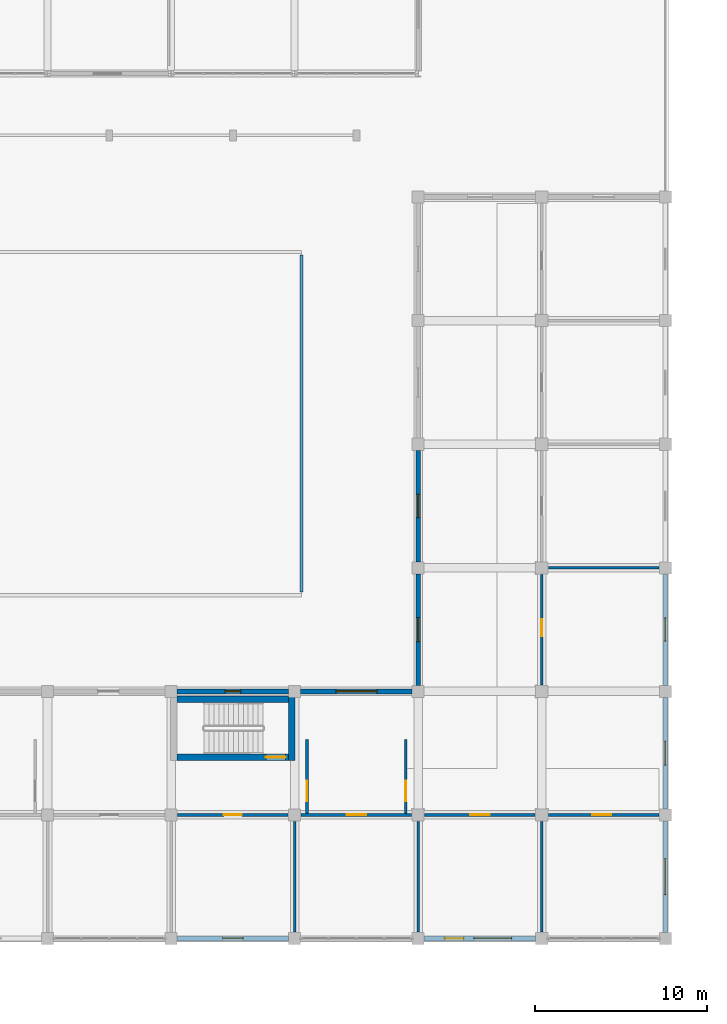
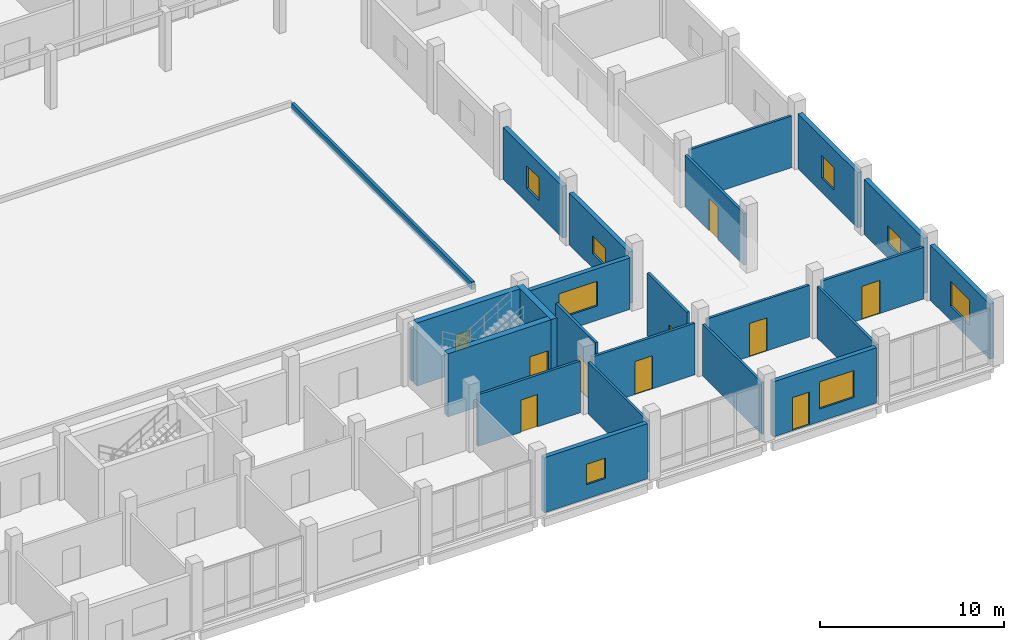
# One storey, part 121 of 139: 24 walls, 9 doors, 9 windows, 18 openings.
"""IFC4 building model written with IfcOpenShell, lengths in metres."""

from ifc_helpers import new_model, si_unit, direction, frame, frame_2d, origin, place, context, subcontext, project, spatial, rectangle, extrude, material, layer, layer_set, type_object, element, fill, save


model = new_model("IFC4")

# Units and contexts
model_context = context("Model", 3, precision=1e-05, world=origin(), true_north=direction((0.0, 1.0)))
body_context = subcontext(model_context, "Body", "Model", "MODEL_VIEW")
ifc_project = project(units=[si_unit("LENGTHUNIT", "METRE"), si_unit("AREAUNIT", "SQUARE_METRE"), si_unit("VOLUMEUNIT", "CUBIC_METRE"), si_unit("PLANEANGLEUNIT", "RADIAN"), si_unit("MASSUNIT", "GRAM", prefix="KILO")], contexts=[model_context])

# Site, building, storey
site_placement = place(None, origin())
site = spatial("IfcSite", under=ifc_project, at=site_placement, CompositionType="ELEMENT")
building_placement = place(site_placement, origin())
building = spatial("IfcBuilding", under=site, at=building_placement, Name="Suanplinth Sawtooth Commons", CompositionType="ELEMENT")
storey_placement = place(building_placement, origin())
storey = spatial("IfcBuildingStorey", under=building, at=storey_placement, Name="L00", CompositionType="ELEMENT", Elevation=0.0)

# Wall, opening, door
ifc_material_1 = material(Name="Concrete C40/50", Category="concrete")
ifc_layer_1 = layer(ifc_material_1, 0.3798828125, Name="Lower high-rise RC core shear wall 380mm")
ifc_layer_set_1 = layer_set([ifc_layer_1], Name="Concrete C40/50")
wall_type_1 = type_object("IfcWallType", Name="W-CR01", PredefinedType="SHEAR", material=ifc_layer_set_1)
wall_1_placement = place(storey_placement, frame((158.75, 10.56005859375, 0.0), z_axis=(0.0, 0.0, 1.0), x_axis=(1.0, 0.0, 0.0)))
wall_1 = element("IfcWall", 1, at=wall_1_placement, inside=storey, type_object=wall_type_1, Name="W-L00-C-C2-STS", PredefinedType="SHEAR", context=body_context, shape_type="SweptSolid", body=[
    extrude(rectangle(XDim=6.5, YDim=0.3798828125, at=frame_2d((3.25, 0.0))), origin(), (0.0, 0.0, 1.0), 4.199951171875),
])
opening_1_placement = place(wall_1_placement, frame((5.169921875, 0.0, 0.0)))
opening_1 = element("IfcOpeningElement", 2, at=opening_1_placement, cuts=wall_1, Name="Opening FD0324", PredefinedType="OPENING", context=body_context, shape_type="SweptSolid", body=[
    extrude(rectangle(XDim=1.14990234375, YDim=2.199951171875, at=frame_2d((0.574951171875, 1.10009765625))), frame((0.0, 0.204833984375, 0.0), z_axis=(0.0, -1.0, 0.0), x_axis=(1.0, 0.0, 0.0)), (0.0, 0.0, 1.0), 0.40966796875),
])
ifc_material_2 = material(Name="Teak hardwood fire-rated door assembly", Category="wood")
door_type_1 = type_object("IfcDoorType", Name="FD-01", OperationType="NOTDEFINED", PredefinedType="DOOR", material=ifc_material_2)
door_1_placement = place(opening_1_placement, frame((1.14990234375, 0.0, 0.0), z_axis=(0.0, 0.0, 1.0), x_axis=(-1.0, 0.0, 0.0)))
door_1 = element("IfcDoor", 3, at=door_1_placement, inside=storey, type_object=door_type_1, Name="Exit Stair Fire Door FD0324", OperationType="SINGLE_SWING_LEFT", OverallHeight=2.199951171875, OverallWidth=1.14990234375, PredefinedType="DOOR", context=body_context, shape_type="SweptSolid", body=[
    extrude(rectangle(XDim=1.14990234375, YDim=2.199951171875, at=frame_2d((0.574951171875, 1.10009765625))), frame((0.0, 0.02490234375, 0.0), z_axis=(0.0, -1.0, 0.0), x_axis=(1.0, 0.0, 0.0)), (0.0, 0.0, 1.0), 0.050048828125),
])
fill(opening_1, door_1)

# Walls
wall_2_placement = place(storey_placement, frame((158.75, 13.93994140625, 0.0), z_axis=(0.0, 0.0, 1.0), x_axis=(1.0, 0.0, 0.0)))
element("IfcWall", 4, at=wall_2_placement, inside=storey, type_object=wall_type_1, Name="W-L00-C-C2-STN", PredefinedType="SHEAR", context=body_context, shape_type="SweptSolid", body=[
    extrude(rectangle(XDim=6.5, YDim=0.3798828125, at=frame_2d((3.25, 0.0))), origin(), (0.0, 0.0, 1.0), 4.199951171875),
])
wall_3_placement = place(storey_placement, frame((165.43994140625, 10.3701171875, 0.0), z_axis=(0.0, 0.0, 1.0), x_axis=(0.0, 1.0, 0.0)))
element("IfcWall", 5, at=wall_3_placement, inside=storey, type_object=wall_type_1, Name="W-L00-C-C2-STE", PredefinedType="SHEAR", context=body_context, shape_type="SweptSolid", body=[
    extrude(rectangle(XDim=3.759765625, YDim=0.3798828125, at=frame_2d((1.8798828125, 0.0))), origin(), (0.0, 0.0, 1.0), 4.199951171875),
])

# Wall, opening, window
ifc_material_3 = material(Name="Precast concrete C40/50", Category="concrete")
ifc_layer_2 = layer(ifc_material_3, 0.280029296875, Name="Insulated precast architectural facade wall 280mm")
ifc_layer_set_2 = layer_set([ifc_layer_2], Name="Precast concrete C40/50")
wall_type_2 = type_object("IfcWallType", Name="W-EX01", PredefinedType="ELEMENTEDWALL", material=ifc_layer_set_2)
wall_4_placement = place(storey_placement, frame((158.75, 0.0, 0.0), z_axis=(0.0, 0.0, 1.0), x_axis=(1.0, 0.0, 0.0)))
wall_4 = element("IfcWall", 6, at=wall_4_placement, inside=storey, type_object=wall_type_2, Name="Facade Wall W-L00-C-S-22-0", PredefinedType="ELEMENTEDWALL", context=body_context, shape_type="SweptSolid", body=[
    extrude(rectangle(XDim=6.5, YDim=0.280029296875, at=frame_2d((3.25, 0.0))), origin(), (0.0, 0.0, 1.0), 3.6650390625),
])
opening_2_placement = place(wall_4_placement, frame((2.64990234375, 0.0, 0.949951171875)))
opening_2 = element("IfcOpeningElement", 7, at=opening_2_placement, cuts=wall_4, Name="Opening W0129", PredefinedType="OPENING", context=body_context, shape_type="SweptSolid", body=[
    extrude(rectangle(XDim=1.199951171875, YDim=1.35009765625, at=frame_2d((0.60009765625, 0.675048828125))), frame((0.0, 0.15478515625, 0.0), z_axis=(0.0, -1.0, 0.0), x_axis=(1.0, 0.0, 0.0)), (0.0, 0.0, 1.0), 0.309814453125),
])
ifc_material_4 = material(Name="Thermally broken aluminium and low-E double glazing", Category="aluminium")
window_type_1 = type_object("IfcWindowType", Name="WN-03", PartitioningType="SINGLE_PANEL", PredefinedType="WINDOW", material=ifc_material_4)
window_1_placement = place(opening_2_placement, origin())
window_1 = element("IfcWindow", 8, at=window_1_placement, inside=storey, type_object=window_type_1, Name="Window L00-C-S-22-0", OverallHeight=1.35009765625, OverallWidth=1.199951171875, PartitioningType="SINGLE_PANEL", PredefinedType="WINDOW", context=body_context, shape_type="SweptSolid", body=[
    extrude(rectangle(XDim=1.199951171875, YDim=1.35009765625, at=frame_2d((0.60009765625, 0.675048828125))), frame((0.0, 0.030029296875, 0.0), z_axis=(0.0, -1.0, 0.0), x_axis=(1.0, 0.0, 0.0)), (0.0, 0.0, 1.0), 0.06005859375),
])
fill(opening_2, window_1)

wall_5_placement = place(storey_placement, frame((158.75, 14.39990234375, 0.0), z_axis=(0.0, 0.0, 1.0), x_axis=(1.0, 0.0, 0.0)))
wall_5 = element("IfcWall", 9, at=wall_5_placement, inside=storey, type_object=wall_type_2, Name="Facade Wall W-L00-C-N-22-1", PredefinedType="ELEMENTEDWALL", context=body_context, shape_type="SweptSolid", body=[
    extrude(rectangle(XDim=6.5, YDim=0.280029296875, at=frame_2d((3.25, 0.0))), origin(), (0.0, 0.0, 1.0), 3.43505859375),
])
opening_3_placement = place(wall_5_placement, frame((2.800048828125, 0.0, 0.949951171875)))
opening_3 = element("IfcOpeningElement", 10, at=opening_3_placement, cuts=wall_5, Name="Opening W0130", PredefinedType="OPENING", context=body_context, shape_type="SweptSolid", body=[
    extrude(rectangle(XDim=0.89990234375, YDim=1.10009765625, at=frame_2d((0.449951171875, 0.550048828125))), frame((0.0, 0.15478515625, 0.0), z_axis=(0.0, -1.0, 0.0), x_axis=(1.0, 0.0, 0.0)), (0.0, 0.0, 1.0), 0.309814453125),
])
window_type_2 = type_object("IfcWindowType", Name="WN-04", PartitioningType="SINGLE_PANEL", PredefinedType="WINDOW", material=ifc_material_4)
window_2_placement = place(opening_3_placement, origin())
window_2 = element("IfcWindow", 11, at=window_2_placement, inside=storey, type_object=window_type_2, Name="Window L00-C-N-22-1", OverallHeight=1.10009765625, OverallWidth=0.89990234375, PartitioningType="SINGLE_PANEL", PredefinedType="WINDOW", context=body_context, shape_type="SweptSolid", body=[
    extrude(rectangle(XDim=0.89990234375, YDim=1.10009765625, at=frame_2d((0.449951171875, 0.550048828125))), frame((0.0, 0.030029296875, 0.0), z_axis=(0.0, -1.0, 0.0), x_axis=(1.0, 0.0, 0.0)), (0.0, 0.0, 1.0), 0.06005859375),
])
fill(opening_3, window_2)

wall_6_placement = place(storey_placement, frame((165.949951171875, 14.39990234375, 0.0), z_axis=(0.0, 0.0, 1.0), x_axis=(1.0, 0.0, 0.0)))
wall_6 = element("IfcWall", 12, at=wall_6_placement, inside=storey, type_object=wall_type_2, Name="Facade Wall W-L00-C-N-23-1", PredefinedType="ELEMENTEDWALL", context=body_context, shape_type="SweptSolid", body=[
    extrude(rectangle(XDim=6.5, YDim=0.280029296875, at=frame_2d((3.25, 0.0))), origin(), (0.0, 0.0, 1.0), 3.43505859375),
])
opening_4_placement = place(wall_6_placement, frame((2.050048828125, 0.0, 0.949951171875)))
opening_4 = element("IfcOpeningElement", 13, at=opening_4_placement, cuts=wall_6, Name="Opening W0131", PredefinedType="OPENING", context=body_context, shape_type="SweptSolid", body=[
    extrude(rectangle(XDim=2.39990234375, YDim=1.64990234375, at=frame_2d((1.199951171875, 0.824951171875))), frame((0.0, 0.15478515625, 0.0), z_axis=(0.0, -1.0, 0.0), x_axis=(1.0, 0.0, 0.0)), (0.0, 0.0, 1.0), 0.309814453125),
])
window_type_3 = type_object("IfcWindowType", Name="WN-05", PartitioningType="TRIPLE_PANEL_VERTICAL", PredefinedType="WINDOW", material=ifc_material_4)
window_3_placement = place(opening_4_placement, origin())
window_3 = element("IfcWindow", 14, at=window_3_placement, inside=storey, type_object=window_type_3, Name="Window L00-C-N-23-1", OverallHeight=1.64990234375, OverallWidth=2.39990234375, PartitioningType="TRIPLE_PANEL_VERTICAL", PredefinedType="WINDOW", context=body_context, shape_type="SweptSolid", body=[
    extrude(rectangle(XDim=2.39990234375, YDim=1.64990234375, at=frame_2d((1.199951171875, 0.824951171875))), frame((0.0, 0.030029296875, 0.0), z_axis=(0.0, -1.0, 0.0), x_axis=(1.0, 0.0, 0.0)), (0.0, 0.0, 1.0), 0.06005859375),
])
fill(opening_4, window_3)

# Wall, openings, door, window
wall_7_placement = place(storey_placement, frame((173.14990234375, 0.0, 0.0), z_axis=(0.0, 0.0, 1.0), x_axis=(1.0, 0.0, 0.0)))
wall_7 = element("IfcWall", 15, at=wall_7_placement, inside=storey, type_object=wall_type_2, Name="Facade Wall W-L00-C-S-24-0", PredefinedType="ELEMENTEDWALL", context=body_context, shape_type="SweptSolid", body=[
    extrude(rectangle(XDim=6.5, YDim=0.280029296875, at=frame_2d((3.25, 0.0))), origin(), (0.0, 0.0, 1.0), 3.6650390625),
])
opening_5_placement = place(wall_7_placement, frame((1.199951171875, 0.0, 0.0)))
opening_5 = element("IfcOpeningElement", 16, at=opening_5_placement, cuts=wall_7, Name="Opening ED0035", PredefinedType="OPENING", context=body_context, shape_type="SweptSolid", body=[
    extrude(rectangle(XDim=1.10009765625, YDim=2.199951171875, at=frame_2d((0.550048828125, 1.10009765625))), frame((0.0, 0.15478515625, 0.0), z_axis=(0.0, -1.0, 0.0), x_axis=(1.0, 0.0, 0.0)), (0.0, 0.0, 1.0), 0.309814453125),
])
opening_6_placement = place(wall_7_placement, frame((2.89990234375, 0.0, 0.85009765625)))
opening_6 = element("IfcOpeningElement", 17, at=opening_6_placement, cuts=wall_7, Name="Opening W0132", PredefinedType="OPENING", context=body_context, shape_type="SweptSolid", body=[
    extrude(rectangle(XDim=2.199951171875, YDim=1.800048828125, at=frame_2d((1.10009765625, 0.89990234375))), frame((0.0, 0.15478515625, 0.0), z_axis=(0.0, -1.0, 0.0), x_axis=(1.0, 0.0, 0.0)), (0.0, 0.0, 1.0), 0.309814453125),
])
ifc_material_5 = material(Name="Anodized aluminium and clear glass", Category="aluminium")
door_type_2 = type_object("IfcDoorType", Name="ED-06", OperationType="NOTDEFINED", PredefinedType="DOOR", material=ifc_material_5)
door_2_placement = place(opening_5_placement, frame((1.10009765625, 0.0, 0.0), z_axis=(0.0, 0.0, 1.0), x_axis=(-1.0, 0.0, 0.0)))
door_2 = element("IfcDoor", 18, at=door_2_placement, inside=storey, type_object=door_type_2, Name="Ground Shop Entrance C-24", OperationType="SINGLE_SWING_LEFT", OverallHeight=2.199951171875, OverallWidth=1.10009765625, PredefinedType="DOOR", context=body_context, shape_type="SweptSolid", body=[
    extrude(rectangle(XDim=1.10009765625, YDim=2.199951171875, at=frame_2d((0.550048828125, 1.10009765625))), frame((0.0, 0.02490234375, 0.0), z_axis=(0.0, -1.0, 0.0), x_axis=(1.0, 0.0, 0.0)), (0.0, 0.0, 1.0), 0.050048828125),
])
fill(opening_5, door_2)
window_type_4 = type_object("IfcWindowType", Name="WN-11", PartitioningType="TRIPLE_PANEL_VERTICAL", PredefinedType="WINDOW", material=ifc_material_4)
window_4_placement = place(opening_6_placement, origin())
window_4 = element("IfcWindow", 19, at=window_4_placement, inside=storey, type_object=window_type_4, Name="Shopfront Window C-24", OverallHeight=1.800048828125, OverallWidth=2.199951171875, PartitioningType="TRIPLE_PANEL_VERTICAL", PredefinedType="WINDOW", context=body_context, shape_type="SweptSolid", body=[
    extrude(rectangle(XDim=2.199951171875, YDim=1.800048828125, at=frame_2d((1.10009765625, 0.89990234375))), frame((0.0, 0.030029296875, 0.0), z_axis=(0.0, -1.0, 0.0), x_axis=(1.0, 0.0, 0.0)), (0.0, 0.0, 1.0), 0.06005859375),
])
fill(opening_6, window_4)

# Wall, opening, window
wall_8_placement = place(storey_placement, frame((172.800048828125, 14.75, 0.0), z_axis=(0.0, 0.0, 1.0), x_axis=(0.0, 1.0, 0.0)))
wall_8 = element("IfcWall", 20, at=wall_8_placement, inside=storey, type_object=wall_type_2, Name="Facade Wall W-L00-C-W-24-2", PredefinedType="ELEMENTEDWALL", context=body_context, shape_type="SweptSolid", body=[
    extrude(rectangle(XDim=6.5, YDim=0.280029296875, at=frame_2d((3.25, 0.0))), origin(), (0.0, 0.0, 1.0), 3.43505859375),
])
opening_7_placement = place(wall_8_placement, frame((2.550048828125, 0.0, 0.949951171875)))
opening_7 = element("IfcOpeningElement", 21, at=opening_7_placement, cuts=wall_8, Name="Opening W0133", PredefinedType="OPENING", context=body_context, shape_type="SweptSolid", body=[
    extrude(rectangle(XDim=1.39990234375, YDim=1.199951171875, at=frame_2d((0.699951171875, 0.60009765625))), frame((0.0, 0.15478515625, 0.0), z_axis=(0.0, -1.0, 0.0), x_axis=(1.0, 0.0, 0.0)), (0.0, 0.0, 1.0), 0.309814453125),
])
window_type_5 = type_object("IfcWindowType", Name="WN-10", PartitioningType="DOUBLE_PANEL_HORIZONTAL", PredefinedType="WINDOW", material=ifc_material_4)
window_5_placement = place(opening_7_placement, origin())
window_5 = element("IfcWindow", 22, at=window_5_placement, inside=storey, type_object=window_type_5, Name="Window L00-C-W-24-2", OverallHeight=1.199951171875, OverallWidth=1.39990234375, PartitioningType="DOUBLE_PANEL_HORIZONTAL", PredefinedType="WINDOW", context=body_context, shape_type="SweptSolid", body=[
    extrude(rectangle(XDim=1.39990234375, YDim=1.199951171875, at=frame_2d((0.699951171875, 0.60009765625))), frame((0.0, 0.030029296875, 0.0), z_axis=(0.0, -1.0, 0.0), x_axis=(1.0, 0.0, 0.0)), (0.0, 0.0, 1.0), 0.06005859375),
])
fill(opening_7, window_5)

wall_9_placement = place(storey_placement, frame((172.800048828125, 21.949951171875, 0.0), z_axis=(0.0, 0.0, 1.0), x_axis=(0.0, 1.0, 0.0)))
wall_9 = element("IfcWall", 23, at=wall_9_placement, inside=storey, type_object=wall_type_2, Name="Facade Wall W-L00-C-W-24-3", PredefinedType="ELEMENTEDWALL", context=body_context, shape_type="SweptSolid", body=[
    extrude(rectangle(XDim=6.5, YDim=0.280029296875, at=frame_2d((3.25, 0.0))), origin(), (0.0, 0.0, 1.0), 3.43505859375),
])
opening_8_placement = place(wall_9_placement, frame((2.574951171875, 0.0, 0.949951171875)))
opening_8 = element("IfcOpeningElement", 24, at=opening_8_placement, cuts=wall_9, Name="Opening W0134", PredefinedType="OPENING", context=body_context, shape_type="SweptSolid", body=[
    extrude(rectangle(XDim=1.35009765625, YDim=1.5, at=frame_2d((0.675048828125, 0.75))), frame((0.0, 0.15478515625, 0.0), z_axis=(0.0, -1.0, 0.0), x_axis=(1.0, 0.0, 0.0)), (0.0, 0.0, 1.0), 0.309814453125),
])
window_type_6 = type_object("IfcWindowType", Name="WN-14", PartitioningType="SINGLE_PANEL", PredefinedType="WINDOW", material=ifc_material_4)
window_6_placement = place(opening_8_placement, origin())
window_6 = element("IfcWindow", 25, at=window_6_placement, inside=storey, type_object=window_type_6, Name="Window L00-C-W-24-3", OverallHeight=1.5, OverallWidth=1.35009765625, PartitioningType="SINGLE_PANEL", PredefinedType="WINDOW", context=body_context, shape_type="SweptSolid", body=[
    extrude(rectangle(XDim=1.35009765625, YDim=1.5, at=frame_2d((0.675048828125, 0.75))), frame((0.0, 0.030029296875, 0.0), z_axis=(0.0, -1.0, 0.0), x_axis=(1.0, 0.0, 0.0)), (0.0, 0.0, 1.0), 0.06005859375),
])
fill(opening_8, window_6)

wall_10_placement = place(storey_placement, frame((187.199951171875, 0.35009765625, 0.0), z_axis=(0.0, 0.0, 1.0), x_axis=(0.0, 1.0, 0.0)))
wall_10 = element("IfcWall", 26, at=wall_10_placement, inside=storey, type_object=wall_type_2, Name="Facade Wall W-L00-C-E-25-0", PredefinedType="ELEMENTEDWALL", context=body_context, shape_type="SweptSolid", body=[
    extrude(rectangle(XDim=6.5, YDim=0.280029296875, at=frame_2d((3.25, 0.0))), origin(), (0.0, 0.0, 1.0), 3.6650390625),
])
opening_9_placement = place(wall_10_placement, frame((2.199951171875, 0.0, 0.949951171875)))
opening_9 = element("IfcOpeningElement", 27, at=opening_9_placement, cuts=wall_10, Name="Opening W0138", PredefinedType="OPENING", context=body_context, shape_type="SweptSolid", body=[
    extrude(rectangle(XDim=2.10009765625, YDim=1.64990234375, at=frame_2d((1.050048828125, 0.824951171875))), frame((0.0, 0.15478515625, 0.0), z_axis=(0.0, -1.0, 0.0), x_axis=(1.0, 0.0, 0.0)), (0.0, 0.0, 1.0), 0.309814453125),
])
window_type_7 = type_object("IfcWindowType", Name="WN-06", PartitioningType="DOUBLE_PANEL_VERTICAL", PredefinedType="WINDOW", material=ifc_material_4)
window_7_placement = place(opening_9_placement, origin())
window_7 = element("IfcWindow", 28, at=window_7_placement, inside=storey, type_object=window_type_7, Name="Window L00-C-E-25-0", OverallHeight=1.64990234375, OverallWidth=2.10009765625, PartitioningType="DOUBLE_PANEL_VERTICAL", PredefinedType="WINDOW", context=body_context, shape_type="SweptSolid", body=[
    extrude(rectangle(XDim=2.10009765625, YDim=1.64990234375, at=frame_2d((1.050048828125, 0.824951171875))), frame((0.0, 0.030029296875, 0.0), z_axis=(0.0, -1.0, 0.0), x_axis=(1.0, 0.0, 0.0)), (0.0, 0.0, 1.0), 0.06005859375),
])
fill(opening_9, window_7)

wall_11_placement = place(storey_placement, frame((187.199951171875, 7.550048828125, 0.0), z_axis=(0.0, 0.0, 1.0), x_axis=(0.0, 1.0, 0.0)))
wall_11 = element("IfcWall", 29, at=wall_11_placement, inside=storey, type_object=wall_type_2, Name="Facade Wall W-L00-C-E-25-1", PredefinedType="ELEMENTEDWALL", context=body_context, shape_type="SweptSolid", body=[
    extrude(rectangle(XDim=6.5, YDim=0.280029296875, at=frame_2d((3.25, 0.0))), origin(), (0.0, 0.0, 1.0), 3.6650390625),
])
opening_10_placement = place(wall_11_placement, frame((2.550048828125, 0.0, 0.949951171875)))
opening_10 = element("IfcOpeningElement", 30, at=opening_10_placement, cuts=wall_11, Name="Opening W0139", PredefinedType="OPENING", context=body_context, shape_type="SweptSolid", body=[
    extrude(rectangle(XDim=1.39990234375, YDim=1.199951171875, at=frame_2d((0.699951171875, 0.60009765625))), frame((0.0, 0.15478515625, 0.0), z_axis=(0.0, -1.0, 0.0), x_axis=(1.0, 0.0, 0.0)), (0.0, 0.0, 1.0), 0.309814453125),
])
window_8_placement = place(opening_10_placement, origin())
window_8 = element("IfcWindow", 31, at=window_8_placement, inside=storey, type_object=window_type_5, Name="Window L00-C-E-25-1", OverallHeight=1.199951171875, OverallWidth=1.39990234375, PartitioningType="DOUBLE_PANEL_HORIZONTAL", PredefinedType="WINDOW", context=body_context, shape_type="SweptSolid", body=[
    extrude(rectangle(XDim=1.39990234375, YDim=1.199951171875, at=frame_2d((0.699951171875, 0.60009765625))), frame((0.0, 0.030029296875, 0.0), z_axis=(0.0, -1.0, 0.0), x_axis=(1.0, 0.0, 0.0)), (0.0, 0.0, 1.0), 0.06005859375),
])
fill(opening_10, window_8)

wall_12_placement = place(storey_placement, frame((187.199951171875, 14.75, 0.0), z_axis=(0.0, 0.0, 1.0), x_axis=(0.0, 1.0, 0.0)))
wall_12 = element("IfcWall", 32, at=wall_12_placement, inside=storey, type_object=wall_type_2, Name="Facade Wall W-L00-C-E-25-2", PredefinedType="ELEMENTEDWALL", context=body_context, shape_type="SweptSolid", body=[
    extrude(rectangle(XDim=6.5, YDim=0.280029296875, at=frame_2d((3.25, 0.0))), origin(), (0.0, 0.0, 1.0), 3.6650390625),
])
opening_11_placement = place(wall_12_placement, frame((2.574951171875, 0.0, 0.949951171875)))
opening_11 = element("IfcOpeningElement", 33, at=opening_11_placement, cuts=wall_12, Name="Opening W0140", PredefinedType="OPENING", context=body_context, shape_type="SweptSolid", body=[
    extrude(rectangle(XDim=1.35009765625, YDim=1.5, at=frame_2d((0.675048828125, 0.75))), frame((0.0, 0.15478515625, 0.0), z_axis=(0.0, -1.0, 0.0), x_axis=(1.0, 0.0, 0.0)), (0.0, 0.0, 1.0), 0.309814453125),
])
window_9_placement = place(opening_11_placement, origin())
window_9 = element("IfcWindow", 34, at=window_9_placement, inside=storey, type_object=window_type_6, Name="Window L00-C-E-25-2", OverallHeight=1.5, OverallWidth=1.35009765625, PartitioningType="SINGLE_PANEL", PredefinedType="WINDOW", context=body_context, shape_type="SweptSolid", body=[
    extrude(rectangle(XDim=1.35009765625, YDim=1.5, at=frame_2d((0.675048828125, 0.75))), frame((0.0, 0.030029296875, 0.0), z_axis=(0.0, -1.0, 0.0), x_axis=(1.0, 0.0, 0.0)), (0.0, 0.0, 1.0), 0.06005859375),
])
fill(opening_11, window_9)

# Wall, opening, door
ifc_layer_3 = layer(ifc_material_3, 0.159912109375, Name="Fire-rated corridor and lobby wall 160mm")
ifc_layer_set_3 = layer_set([ifc_layer_3], Name="Precast concrete C40/50")
wall_type_3 = type_object("IfcWallType", Name="W-FW01", PredefinedType="PARTITIONING", material=ifc_layer_set_3)
wall_13_placement = place(storey_placement, frame((166.320068359375, 7.280029296875, 0.0), z_axis=(0.0, 0.0, 1.0), x_axis=(0.0, 1.0, 0.0)))
wall_13 = element("IfcWall", 35, at=wall_13_placement, inside=storey, type_object=wall_type_3, Name="W-L00-C-C2-LOB-W", PredefinedType="PARTITIONING", context=body_context, shape_type="SweptSolid", body=[
    extrude(rectangle(XDim=4.320068359375, YDim=0.159912109375, at=frame_2d((2.16015625, 0.0))), origin(), (0.0, 0.0, 1.0), 4.199951171875),
])
opening_12_placement = place(wall_13_placement, frame((0.719970703125, 0.0, 0.0)))
opening_12 = element("IfcOpeningElement", 36, at=opening_12_placement, cuts=wall_13, Name="Opening FD0325", PredefinedType="OPENING", context=body_context, shape_type="SweptSolid", body=[
    extrude(rectangle(XDim=1.199951171875, YDim=2.199951171875, at=frame_2d((0.60009765625, 1.10009765625))), frame((0.0, 0.0947265625, 0.0), z_axis=(0.0, -1.0, 0.0), x_axis=(1.0, 0.0, 0.0)), (0.0, 0.0, 1.0), 0.189697265625),
])
door_type_3 = type_object("IfcDoorType", Name="FD-02", OperationType="NOTDEFINED", PredefinedType="DOOR", material=ifc_material_2)
door_3_placement = place(opening_12_placement, origin())
door_3 = element("IfcDoor", 37, at=door_3_placement, inside=storey, type_object=door_type_3, Name="Lobby Fire Door FD0325", OperationType="SINGLE_SWING_RIGHT", OverallHeight=2.199951171875, OverallWidth=1.199951171875, PredefinedType="DOOR", context=body_context, shape_type="SweptSolid", body=[
    extrude(rectangle(XDim=1.199951171875, YDim=2.199951171875, at=frame_2d((0.60009765625, 1.10009765625))), frame((0.0, 0.02490234375, 0.0), z_axis=(0.0, -1.0, 0.0), x_axis=(1.0, 0.0, 0.0)), (0.0, 0.0, 1.0), 0.050048828125),
])
fill(opening_12, door_3)

wall_14_placement = place(storey_placement, frame((172.080078125, 7.280029296875, 0.0), z_axis=(0.0, 0.0, 1.0), x_axis=(0.0, 1.0, 0.0)))
wall_14 = element("IfcWall", 38, at=wall_14_placement, inside=storey, type_object=wall_type_3, Name="W-L00-C-C2-LOB-E", PredefinedType="PARTITIONING", context=body_context, shape_type="SweptSolid", body=[
    extrude(rectangle(XDim=4.320068359375, YDim=0.159912109375, at=frame_2d((2.16015625, 0.0))), origin(), (0.0, 0.0, 1.0), 4.199951171875),
])
opening_13_placement = place(wall_14_placement, frame((0.719970703125, 0.0, 0.0)))
opening_13 = element("IfcOpeningElement", 39, at=opening_13_placement, cuts=wall_14, Name="Opening FD0326", PredefinedType="OPENING", context=body_context, shape_type="SweptSolid", body=[
    extrude(rectangle(XDim=1.199951171875, YDim=2.199951171875, at=frame_2d((0.60009765625, 1.10009765625))), frame((0.0, 0.0947265625, 0.0), z_axis=(0.0, -1.0, 0.0), x_axis=(1.0, 0.0, 0.0)), (0.0, 0.0, 1.0), 0.189697265625),
])
door_4_placement = place(opening_13_placement, frame((1.199951171875, 0.0, 0.0), z_axis=(0.0, 0.0, 1.0), x_axis=(-1.0, 0.0, 0.0)))
door_4 = element("IfcDoor", 40, at=door_4_placement, inside=storey, type_object=door_type_3, Name="Lobby Fire Door FD0326", OperationType="SINGLE_SWING_LEFT", OverallHeight=2.199951171875, OverallWidth=1.199951171875, PredefinedType="DOOR", context=body_context, shape_type="SweptSolid", body=[
    extrude(rectangle(XDim=1.199951171875, YDim=2.199951171875, at=frame_2d((0.60009765625, 1.10009765625))), frame((0.0, 0.02490234375, 0.0), z_axis=(0.0, -1.0, 0.0), x_axis=(1.0, 0.0, 0.0)), (0.0, 0.0, 1.0), 0.050048828125),
])
fill(opening_13, door_4)

wall_15_placement = place(storey_placement, frame((158.780029296875, 7.199951171875, 0.0), z_axis=(0.0, 0.0, 1.0), x_axis=(1.0, 0.0, 0.0)))
wall_15 = element("IfcWall", 41, at=wall_15_placement, inside=storey, type_object=wall_type_3, Name="W-C-L00-GROUNDROOM-34-COR", PredefinedType="PARTITIONING", context=body_context, shape_type="SweptSolid", body=[
    extrude(rectangle(XDim=6.43994140625, YDim=0.159912109375, at=frame_2d((3.219970703125, 0.0))), origin(), (0.0, 0.0, 1.0), 3.43505859375),
])
opening_14_placement = place(wall_15_placement, frame((2.695068359375, 0.0, 0.0)))
opening_14 = element("IfcOpeningElement", 42, at=opening_14_placement, cuts=wall_15, Name="Opening FD0504", PredefinedType="OPENING", context=body_context, shape_type="SweptSolid", body=[
    extrude(rectangle(XDim=1.050048828125, YDim=2.14990234375, at=frame_2d((0.52490234375, 1.074951171875))), frame((0.0, 0.0947265625, 0.0), z_axis=(0.0, -1.0, 0.0), x_axis=(1.0, 0.0, 0.0)), (0.0, 0.0, 1.0), 0.189697265625),
])
door_type_4 = type_object("IfcDoorType", Name="FD-04", OperationType="NOTDEFINED", PredefinedType="DOOR", material=ifc_material_2)
door_5_placement = place(opening_14_placement, frame((1.050048828125, 0.0, 0.0), z_axis=(0.0, 0.0, 1.0), x_axis=(-1.0, 0.0, 0.0)))
door_5 = element("IfcDoor", 43, at=door_5_placement, inside=storey, type_object=door_type_4, Name="Unit Entrance Door FD0504", OperationType="SINGLE_SWING_RIGHT", OverallHeight=2.14990234375, OverallWidth=1.050048828125, PredefinedType="DOOR", context=body_context, shape_type="SweptSolid", body=[
    extrude(rectangle(XDim=1.050048828125, YDim=2.14990234375, at=frame_2d((0.52490234375, 1.074951171875))), frame((0.0, 0.02490234375, 0.0), z_axis=(0.0, -1.0, 0.0), x_axis=(1.0, 0.0, 0.0)), (0.0, 0.0, 1.0), 0.050048828125),
])
fill(opening_14, door_5)

wall_16_placement = place(storey_placement, frame((165.97998046875, 7.199951171875, 0.0), z_axis=(0.0, 0.0, 1.0), x_axis=(1.0, 0.0, 0.0)))
wall_16 = element("IfcWall", 44, at=wall_16_placement, inside=storey, type_object=wall_type_3, Name="W-C-L00-GROUNDROOM-35-COR", PredefinedType="PARTITIONING", context=body_context, shape_type="SweptSolid", body=[
    extrude(rectangle(XDim=6.43994140625, YDim=0.159912109375, at=frame_2d((3.219970703125, 0.0))), origin(), (0.0, 0.0, 1.0), 3.43505859375),
])
opening_15_placement = place(wall_16_placement, frame((2.659912109375, 0.0, 0.0)))
opening_15 = element("IfcOpeningElement", 45, at=opening_15_placement, cuts=wall_16, Name="Opening D0505", PredefinedType="OPENING", context=body_context, shape_type="SweptSolid", body=[
    extrude(rectangle(XDim=1.1201171875, YDim=2.199951171875, at=frame_2d((0.56005859375, 1.10009765625))), frame((0.0, 0.0947265625, 0.0), z_axis=(0.0, -1.0, 0.0), x_axis=(1.0, 0.0, 0.0)), (0.0, 0.0, 1.0), 0.189697265625),
])
ifc_material_6 = material(Name="Teak hardwood", Category="wood")
door_type_5 = type_object("IfcDoorType", Name="D-18", OperationType="NOTDEFINED", PredefinedType="DOOR", material=ifc_material_6)
door_6_placement = place(opening_15_placement, frame((1.1201171875, 0.0, 0.0), z_axis=(0.0, 0.0, 1.0), x_axis=(-1.0, 0.0, 0.0)))
door_6 = element("IfcDoor", 46, at=door_6_placement, inside=storey, type_object=door_type_5, Name="Unit Entrance Door D0505", OperationType="SINGLE_SWING_LEFT", OverallHeight=2.199951171875, OverallWidth=1.1201171875, PredefinedType="DOOR", context=body_context, shape_type="SweptSolid", body=[
    extrude(rectangle(XDim=1.1201171875, YDim=2.199951171875, at=frame_2d((0.56005859375, 1.10009765625))), frame((0.0, 0.02490234375, 0.0), z_axis=(0.0, -1.0, 0.0), x_axis=(1.0, 0.0, 0.0)), (0.0, 0.0, 1.0), 0.050048828125),
])
fill(opening_15, door_6)

wall_17_placement = place(storey_placement, frame((173.179931640625, 7.199951171875, 0.0), z_axis=(0.0, 0.0, 1.0), x_axis=(1.0, 0.0, 0.0)))
wall_17 = element("IfcWall", 47, at=wall_17_placement, inside=storey, type_object=wall_type_3, Name="W-C-L00-GROUNDROOM-36-COR", PredefinedType="PARTITIONING", context=body_context, shape_type="SweptSolid", body=[
    extrude(rectangle(XDim=6.440185546875, YDim=0.159912109375, at=frame_2d((3.22021484375, 0.0))), origin(), (0.0, 0.0, 1.0), 3.43505859375),
])
opening_16_placement = place(wall_17_placement, frame((2.659912109375, 0.0, 0.0)))
opening_16 = element("IfcOpeningElement", 48, at=opening_16_placement, cuts=wall_17, Name="Opening D0506", PredefinedType="OPENING", context=body_context, shape_type="SweptSolid", body=[
    extrude(rectangle(XDim=1.1201171875, YDim=2.199951171875, at=frame_2d((0.56005859375, 1.10009765625))), frame((0.0, 0.0947265625, 0.0), z_axis=(0.0, -1.0, 0.0), x_axis=(1.0, 0.0, 0.0)), (0.0, 0.0, 1.0), 0.189697265625),
])
door_7_placement = place(opening_16_placement, frame((1.1201171875, 0.0, 0.0), z_axis=(0.0, 0.0, 1.0), x_axis=(-1.0, 0.0, 0.0)))
door_7 = element("IfcDoor", 49, at=door_7_placement, inside=storey, type_object=door_type_5, Name="Unit Entrance Door D0506", OperationType="SINGLE_SWING_RIGHT", OverallHeight=2.199951171875, OverallWidth=1.1201171875, PredefinedType="DOOR", context=body_context, shape_type="SweptSolid", body=[
    extrude(rectangle(XDim=1.1201171875, YDim=2.199951171875, at=frame_2d((0.56005859375, 1.10009765625))), frame((0.0, 0.02490234375, 0.0), z_axis=(0.0, -1.0, 0.0), x_axis=(1.0, 0.0, 0.0)), (0.0, 0.0, 1.0), 0.050048828125),
])
fill(opening_16, door_7)

wall_18_placement = place(storey_placement, frame((180.3798828125, 7.199951171875, 0.0), z_axis=(0.0, 0.0, 1.0), x_axis=(1.0, 0.0, 0.0)))
wall_18 = element("IfcWall", 50, at=wall_18_placement, inside=storey, type_object=wall_type_3, Name="W-C-L00-GROUNDROOM-37-COR", PredefinedType="PARTITIONING", context=body_context, shape_type="SweptSolid", body=[
    extrude(rectangle(XDim=6.440185546875, YDim=0.159912109375, at=frame_2d((3.22021484375, 0.0))), origin(), (0.0, 0.0, 1.0), 3.43505859375),
])
opening_17_placement = place(wall_18_placement, frame((2.56005859375, 0.0, 0.0)))
opening_17 = element("IfcOpeningElement", 51, at=opening_17_placement, cuts=wall_18, Name="Opening D0507", PredefinedType="OPENING", context=body_context, shape_type="SweptSolid", body=[
    extrude(rectangle(XDim=1.1201171875, YDim=2.199951171875, at=frame_2d((0.56005859375, 1.10009765625))), frame((0.0, 0.0947265625, 0.0), z_axis=(0.0, -1.0, 0.0), x_axis=(1.0, 0.0, 0.0)), (0.0, 0.0, 1.0), 0.189697265625),
])
door_8_placement = place(opening_17_placement, frame((1.1201171875, 0.0, 0.0), z_axis=(0.0, 0.0, 1.0), x_axis=(-1.0, 0.0, 0.0)))
door_8 = element("IfcDoor", 52, at=door_8_placement, inside=storey, type_object=door_type_5, Name="Unit Entrance Door D0507", OperationType="SINGLE_SWING_LEFT", OverallHeight=2.199951171875, OverallWidth=1.1201171875, PredefinedType="DOOR", context=body_context, shape_type="SweptSolid", body=[
    extrude(rectangle(XDim=1.1201171875, YDim=2.199951171875, at=frame_2d((0.56005859375, 1.10009765625))), frame((0.0, 0.02490234375, 0.0), z_axis=(0.0, -1.0, 0.0), x_axis=(1.0, 0.0, 0.0)), (0.0, 0.0, 1.0), 0.050048828125),
])
fill(opening_17, door_8)

wall_19_placement = place(storey_placement, frame((180.0, 14.780029296875, 0.0), z_axis=(0.0, 0.0, 1.0), x_axis=(0.0, 1.0, 0.0)))
wall_19 = element("IfcWall", 53, at=wall_19_placement, inside=storey, type_object=wall_type_3, Name="W-C-L00-GROUNDROOM-38-COR", PredefinedType="PARTITIONING", context=body_context, shape_type="SweptSolid", body=[
    extrude(rectangle(XDim=6.43994140625, YDim=0.159912109375, at=frame_2d((3.219970703125, 0.0))), origin(), (0.0, 0.0, 1.0), 3.43505859375),
])
opening_18_placement = place(wall_19_placement, frame((2.820068359375, 0.0, 0.0)))
opening_18 = element("IfcOpeningElement", 54, at=opening_18_placement, cuts=wall_19, Name="Opening FD0508", PredefinedType="OPENING", context=body_context, shape_type="SweptSolid", body=[
    extrude(rectangle(XDim=1.0, YDim=2.14990234375, at=frame_2d((0.5, 1.074951171875))), frame((0.0, 0.0947265625, 0.0), z_axis=(0.0, -1.0, 0.0), x_axis=(1.0, 0.0, 0.0)), (0.0, 0.0, 1.0), 0.189697265625),
])
door_type_6 = type_object("IfcDoorType", Name="FD-03", OperationType="NOTDEFINED", PredefinedType="DOOR", material=ifc_material_2)
door_9_placement = place(opening_18_placement, frame((1.0, 0.0, 0.0), z_axis=(0.0, 0.0, 1.0), x_axis=(-1.0, 0.0, 0.0)))
door_9 = element("IfcDoor", 55, at=door_9_placement, inside=storey, type_object=door_type_6, Name="Wing Unit Entrance Door FD0508", OperationType="SINGLE_SWING_RIGHT", OverallHeight=2.14990234375, OverallWidth=1.0, PredefinedType="DOOR", context=body_context, shape_type="SweptSolid", body=[
    extrude(rectangle(XDim=1.0, YDim=2.14990234375, at=frame_2d((0.5, 1.074951171875))), frame((0.0, 0.02490234375, 0.0), z_axis=(0.0, -1.0, 0.0), x_axis=(1.0, 0.0, 0.0)), (0.0, 0.0, 1.0), 0.050048828125),
])
fill(opening_18, door_9)

# Walls
ifc_layer_4 = layer(ifc_material_3, 0.14990234375, Name="Acoustic precast party demising wall 150mm")
ifc_layer_set_4 = layer_set([ifc_layer_4], Name="Precast concrete C40/50")
wall_type_4 = type_object("IfcWallType", Name="W-FW02", PredefinedType="PARTITIONING", material=ifc_layer_set_4)
for number, where, z_axis, x_axis, name in (
    (56, (165.60009765625, 0.3798828125, 0.0), (0.0, 0.0, 1.0), (0.0, 1.0, 0.0), "W-C-L00-GROUNDROOM-34-PTY"),
    (57, (172.800048828125, 0.3798828125, 0.0), (0.0, 0.0, 1.0), (0.0, 1.0, 0.0), "W-C-L00-GROUNDROOM-35-PTY"),
    (58, (180.0, 0.3798828125, 0.0), (0.0, 0.0, 1.0), (0.0, 1.0, 0.0), "W-C-L00-GROUNDROOM-36-PTY"),
    (59, (180.3798828125, 21.60009765625, 0.0), (0.0, 0.0, 1.0), (1.0, 0.0, 0.0), "W-C-L00-GROUNDROOM-38-PTY"),
):
    element("IfcWall", number, at=place(storey_placement, frame(where, z_axis=z_axis, x_axis=x_axis)), inside=storey, type_object=wall_type_4, Name=name, PredefinedType="PARTITIONING", context=body_context, shape_type="SweptSolid", body=[
        extrude(rectangle(XDim=6.440185546875, YDim=0.14990234375, at=frame_2d((3.22021484375, 0.0))), origin(), (0.0, 0.0, 1.0), 3.43505859375),
    ])
ifc_layer_5 = layer(ifc_material_3, 0.179931640625, Name="Terrace & courtyard planter kerb wall 180mm")
ifc_layer_set_5 = layer_set([ifc_layer_5], Name="Precast concrete C40/50")
wall_type_5 = type_object("IfcWallType", Name="W-PR02", PredefinedType="PARAPET", material=ifc_layer_set_5)
wall_20_placement = place(storey_placement, frame((166.0, 20.179931640625, 0.0), z_axis=(0.0, 0.0, 1.0), x_axis=(0.0, 1.0, 0.0)))
element("IfcWall", 60, at=wall_20_placement, inside=storey, type_object=wall_type_5, Name="South-East Canal-Court Lotus Planter Kerb E", PredefinedType="PARAPET", context=body_context, shape_type="SweptSolid", body=[
    extrude(rectangle(XDim=19.64013671875, YDim=0.179931640625, at=frame_2d((9.820068359375, 0.0))), origin(), (0.0, 0.0, 1.0), 0.52001953125),
])

save(model, "model.ifc")
